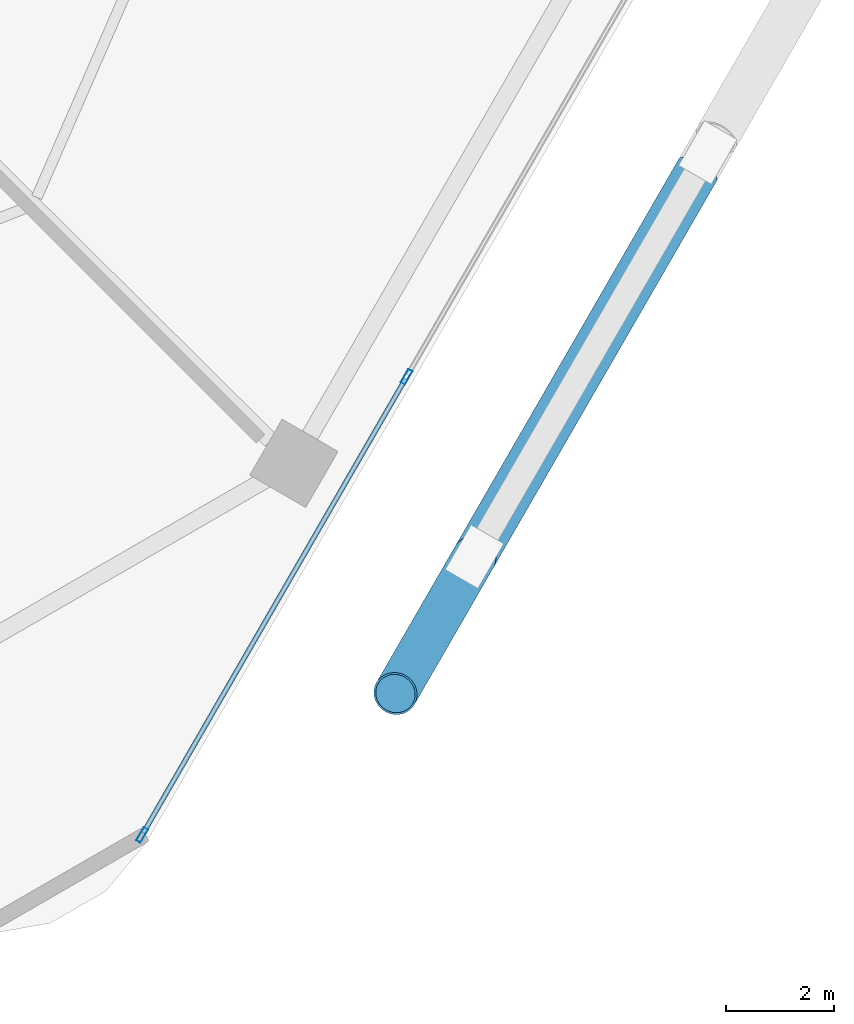
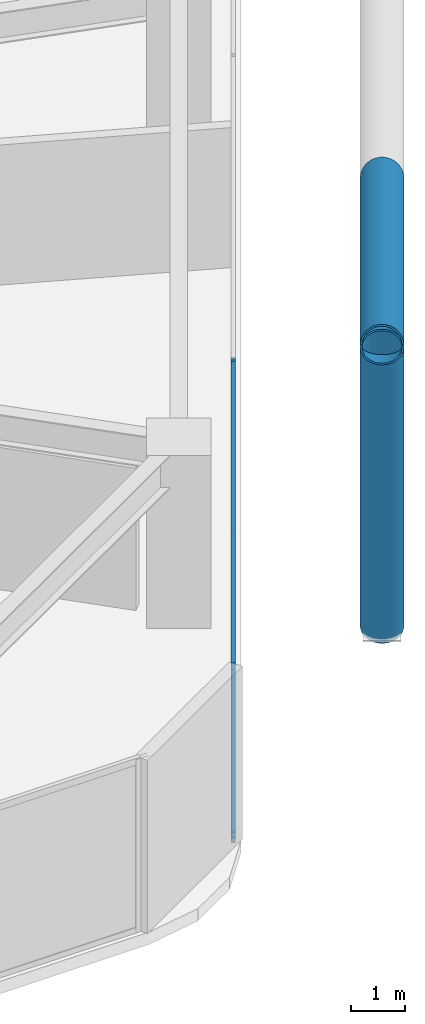
# One storey, part 9 of 28: 6 members, 1 element without a shape of its own.
"""IFC4 building model written with IfcOpenShell, lengths in metres."""

from ifc_helpers import new_model, si_unit, direction, frame, origin, origin_2d, place, context, subcontext, project, spatial, hollow_rectangle, hollow_circle, extrude, material, material_profile, profile_set, type_object, element, aggregate, save


model = new_model("IFC4")

# Units and contexts
model_context = context("Model", 3, precision=1e-05, world=origin(), true_north=direction((0.0, 1.0)))
body_context = subcontext(model_context, "Body", "Model", "MODEL_VIEW")
ifc_project = project(units=[si_unit("LENGTHUNIT", "METRE"), si_unit("AREAUNIT", "SQUARE_METRE"), si_unit("VOLUMEUNIT", "CUBIC_METRE"), si_unit("PLANEANGLEUNIT", "RADIAN"), si_unit("MASSUNIT", "GRAM", prefix="KILO")], contexts=[model_context])

# Site, building, storey
site_placement = place(None, origin())
site = spatial("IfcSite", under=ifc_project, at=site_placement, CompositionType="ELEMENT")
building_placement = place(site_placement, origin())
building = spatial("IfcBuilding", under=site, at=building_placement, Name="Zuhravey Tower", CompositionType="ELEMENT")
storey_placement = place(building_placement, frame((0.0, 0.0, 66.60009765625)))
storey = spatial("IfcBuildingStorey", under=building, at=storey_placement, Name="L16", CompositionType="ELEMENT", Elevation=66.60009765625)

# Curtain wall, members
ifc_material_1 = material(Name="Thermally broken anodised aluminium", Category="aluminium")
curtain_wall_type = type_object("IfcCurtainWallType", Name="School Low-E Unitised Curtain Wall CW1", PredefinedType="NOTDEFINED", material=ifc_material_1)
curtain_wall_placement = place(storey_placement, origin())
curtain_wall = element("IfcCurtainWall", 1, at=curtain_wall_placement, inside=storey, type_object=curtain_wall_type, Name="L16 CW1 CW-L16-F6-1", PredefinedType="NOTDEFINED")
ifc_material_2 = material(Name="Anodised aluminium", Category="aluminium")
ifc_material_profile_1 = material_profile(ifc_material_2, hollow_rectangle(XDim=0.090087890625, YDim=0.284912109375, WallThickness=0.0048828125, at=origin_2d()), Name="ALU-RHS-90x285x5")
ifc_profile_set_1 = profile_set([ifc_material_profile_1], Name="Anodised aluminium")
member_type_1 = type_object("IfcMemberType", Name="Curtain-Wall Mullion 90x180", PredefinedType="MULLION", material=ifc_profile_set_1)
member_1_placement = place(storey_placement, frame((58.612060546875, 13.24853515625, 0.0), z_axis=(0.0, 0.0, 1.0), x_axis=(0.86602552265, -0.499999794119, 0.0)))
member_1 = element("IfcMember", 2, at=member_1_placement, type_object=member_type_1, Name="CW1 mullion 3", PredefinedType="MULLION", context=body_context, shape_type="SweptSolid", body=[
    extrude(hollow_rectangle(XDim=0.090087890625, YDim=0.284912109375, WallThickness=0.0048828125, at=origin_2d()), origin(), (0.0, 0.0, 1.0), 3.919921875),
])
member_2_placement = place(storey_placement, frame((53.701416015625, 4.742919921875, 0.0), z_axis=(0.0, 0.0, 1.0), x_axis=(0.86602552265, -0.499999794119, 0.0)))
member_2 = element("IfcMember", 3, at=member_2_placement, type_object=member_type_1, Name="CW1 mullion 4", PredefinedType="MULLION", context=body_context, shape_type="SweptSolid", body=[
    extrude(hollow_rectangle(XDim=0.090087890625, YDim=0.284912109375, WallThickness=0.0048828125, at=origin_2d()), origin(), (0.0, 0.0, 1.0), 3.919921875),
])
ifc_material_profile_2 = material_profile(ifc_material_2, hollow_rectangle(XDim=0.090087890625, YDim=0.14990234375, WallThickness=0.0048828125, at=origin_2d()), Name="ALU-RHS-90x150x5")
ifc_profile_set_2 = profile_set([ifc_material_profile_2], Name="Anodised aluminium")
member_type_2 = type_object("IfcMemberType", Name="Curtain-Wall Transom 90x150", PredefinedType="USERDEFINED", material=ifc_profile_set_2)
member_3_placement = place(storey_placement, frame((58.589599609375, 13.20947265625, 0.044921875), z_axis=(-0.499989576763, -0.86603142156, 0.0), x_axis=(0.86603142156, -0.499989576763, 0.0)))
member_3 = element("IfcMember", 4, at=member_3_placement, type_object=member_type_2, Name="CW1 transom 3.1", ObjectType="TRANSOM", PredefinedType="USERDEFINED", context=body_context, shape_type="SweptSolid", body=[
    extrude(hollow_rectangle(XDim=0.090087890625, YDim=0.14990234375, WallThickness=0.0048828125, at=origin_2d()), origin(), (0.0, 0.0, 1.0), 9.731201171875),
])
member_4_placement = place(storey_placement, frame((58.589599609375, 13.20947265625, 3.875), z_axis=(-0.499989576763, -0.86603142156, 0.0), x_axis=(0.86603142156, -0.499989576763, 0.0)))
member_4 = element("IfcMember", 5, at=member_4_placement, type_object=member_type_2, Name="CW1 transom 3.2", ObjectType="TRANSOM", PredefinedType="USERDEFINED", context=body_context, shape_type="SweptSolid", body=[
    extrude(hollow_rectangle(XDim=0.090087890625, YDim=0.14990234375, WallThickness=0.0048828125, at=origin_2d()), origin(), (0.0, 0.0, 1.0), 9.731201171875),
])
aggregate(curtain_wall, [member_1, member_2, member_3, member_4])

# Members
ifc_material_3 = material(Name="Steel SM460", Category="steel")
ifc_material_profile_3 = material_profile(ifc_material_3, hollow_circle(Radius=0.406494140625, WallThickness=0.035888671875, at=origin_2d()), Name="CHS-812.8x36")
ifc_profile_set_3 = profile_set([ifc_material_profile_3], Name="Steel SM460")
member_type_3 = type_object("IfcMemberType", Name="Exoskeleton Zone 1 Diagrid CHS813x36", PredefinedType="BRACE", material=ifc_profile_set_3)
member_5_placement = place(storey_placement, frame((59.8681640625, 9.904052734375, -0.47216796875), z_axis=(-0.165307317227, -0.286358046605, 0.943754501984), x_axis=(0.866053660865, -0.499951054106, 0.0)))
element("IfcMember", 6, at=member_5_placement, inside=storey, type_object=member_type_3, Name="L16 Face 6 Diagrid Brace 1", PredefinedType="BRACE", context=body_context, shape_type="SweptSolid", body=[
    extrude(hollow_circle(Radius=0.406494140625, WallThickness=0.035888671875, at=origin_2d()), origin(), (0.0, 0.0, 1.0), 8.85400390625),
])
member_6_placement = place(storey_placement, frame((64.018310546875, 17.09228515625, 3.8408203125), z_axis=(-0.470168805096, -0.814366925669, 0.340217290992), x_axis=(0.866028239721, -0.499995087982, 0.0)))
element("IfcMember", 7, at=member_6_placement, inside=storey, type_object=member_type_3, Name="L16 Face 6 Split Diagrid Brace 3B", PredefinedType="BRACE", context=body_context, shape_type="SweptSolid", body=[
    extrude(hollow_circle(Radius=0.406494140625, WallThickness=0.035888671875, at=origin_2d()), origin(), (0.0, 0.0, 1.0), 11.89794921875),
])

save(model, "model.ifc")
